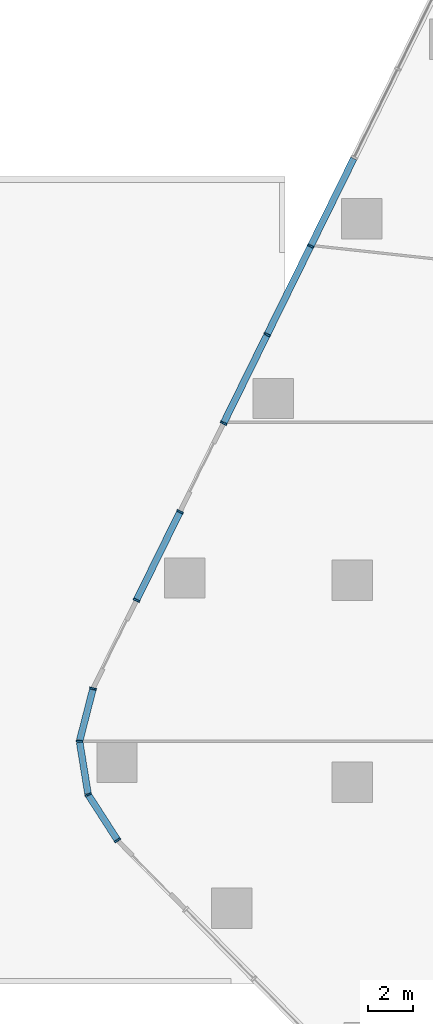
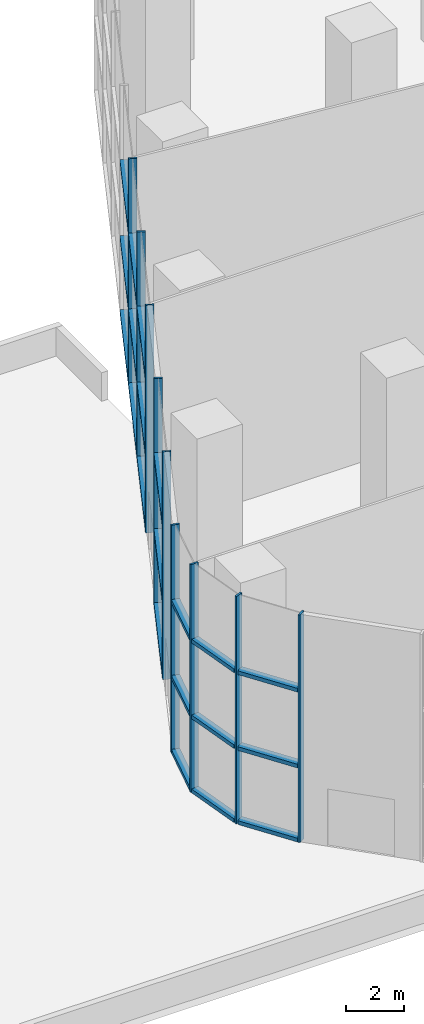
# One storey, part 4 of 21: 30 members, 3 elements without a shape of their own.
"""IFC4 building model written with IfcOpenShell, lengths in metres."""

from ifc_helpers import new_model, si_unit, direction, frame, origin, origin_2d, place, context, subcontext, project, spatial, rectangle, extrude, material, layer, layer_set, material_profile, profile_set, type_object, element, aggregate, save


model = new_model("IFC4")

# Units and contexts
model_context = context("Model", 3, precision=1e-05, world=origin(), true_north=direction((0.0, 1.0)))
body_context = subcontext(model_context, "Body", "Model", "MODEL_VIEW")
ifc_project = project(units=[si_unit("LENGTHUNIT", "METRE"), si_unit("AREAUNIT", "SQUARE_METRE"), si_unit("VOLUMEUNIT", "CUBIC_METRE"), si_unit("PLANEANGLEUNIT", "RADIAN"), si_unit("MASSUNIT", "GRAM", prefix="KILO")], contexts=[model_context])

# Site, building, storey
site_placement = place(None, origin())
site = spatial("IfcSite", under=ifc_project, at=site_placement, CompositionType="ELEMENT")
building_placement = place(site_placement, origin())
building = spatial("IfcBuilding", under=site, at=building_placement, Name="Dongbaek Canopy Tower", CompositionType="ELEMENT")
storey_placement = place(building_placement, frame((0.0, 0.0, 9.0)))
storey = spatial("IfcBuildingStorey", under=building, at=storey_placement, Name="L01", CompositionType="ELEMENT", Elevation=9.0)

# Curtain wall, members
ifc_material_1 = material(Name="Aluminium 6063-T6 pale anodised", Category="aluminium")
ifc_layer = layer(ifc_material_1, 0.300048828125)
ifc_layer_set = layer_set([ifc_layer], Name="CW-2 podium hall curtain wall")
curtain_wall_type = type_object("IfcCurtainWallType", Name="CW-2 podium hall curtain wall", PredefinedType="NOTDEFINED", material=ifc_layer_set)
curtain_wall_1_placement = place(storey_placement, origin())
curtain_wall_1 = element("IfcCurtainWall", 1, at=curtain_wall_1_placement, inside=storey, type_object=curtain_wall_type, Name="CW-2 curtain wall F7.1", PredefinedType="NOTDEFINED")
ifc_material_2 = material(Name="Aluminium 6063-T6 pale anodised", Category="aluminium")
ifc_material_profile_1 = material_profile(ifc_material_2, rectangle(XDim=0.300048828125, YDim=0.080078125, at=origin_2d()), Name="CW-2 mullion 80 x 300")
ifc_profile_set_1 = profile_set([ifc_material_profile_1], Name="Aluminium 6063-T6 pale anodised")
member_type_1 = type_object("IfcMemberType", Name="CW-2 mullion 80 x 300", PredefinedType="MULLION", material=ifc_profile_set_1)
member_1_placement = place(storey_placement, frame((-28.856201171875, 14.902099609375, 0.0), z_axis=(0.0, 0.0, 1.0), x_axis=(-0.897339166815, 0.441341613378, 0.0)))
member_1 = element("IfcMember", 2, at=member_1_placement, type_object=member_type_1, Name="CW-2 mullion F7.1.5", PredefinedType="MULLION", context=body_context, shape_type="SweptSolid", body=[
    extrude(rectangle(XDim=0.300048828125, YDim=0.080078125, at=origin_2d()), origin(), (0.0, 0.0, 1.0), 9.550048828125),
])
member_2_placement = place(storey_placement, frame((-30.7978515625, 10.954345703125, 0.0), z_axis=(0.0, 0.0, 1.0), x_axis=(-0.897339166815, 0.441341613378, 0.0)))
member_2 = element("IfcMember", 3, at=member_2_placement, type_object=member_type_1, Name="CW-2 mullion F7.1.6", PredefinedType="MULLION", context=body_context, shape_type="SweptSolid", body=[
    extrude(rectangle(XDim=0.300048828125, YDim=0.080078125, at=origin_2d()), origin(), (0.0, 0.0, 1.0), 9.550048828125),
])
member_3_placement = place(storey_placement, frame((-32.739501953125, 7.00634765625, 0.0), z_axis=(0.0, 0.0, 1.0), x_axis=(-0.897339166815, 0.441341613378, 0.0)))
member_3 = element("IfcMember", 4, at=member_3_placement, type_object=member_type_1, Name="CW-2 mullion F7.1.7", PredefinedType="MULLION", context=body_context, shape_type="SweptSolid", body=[
    extrude(rectangle(XDim=0.300048828125, YDim=0.080078125, at=origin_2d()), origin(), (0.0, 0.0, 1.0), 9.550048828125),
])

curtain_wall_2_placement = place(storey_placement, origin())
curtain_wall_2 = element("IfcCurtainWall", 5, at=curtain_wall_2_placement, inside=storey, type_object=curtain_wall_type, Name="CW-2 curtain wall F7.2", PredefinedType="NOTDEFINED")
member_4_placement = place(storey_placement, frame((-34.68115234375, 3.05859375, 0.0), z_axis=(0.0, 0.0, 1.0), x_axis=(-0.897339166815, 0.441341613378, 0.0)))
member_4 = element("IfcMember", 6, at=member_4_placement, type_object=member_type_1, Name="CW-2 mullion F7.2.1", PredefinedType="MULLION", context=body_context, shape_type="SweptSolid", body=[
    extrude(rectangle(XDim=0.300048828125, YDim=0.080078125, at=origin_2d()), origin(), (0.0, 0.0, 1.0), 9.550048828125),
])
member_5_placement = place(storey_placement, frame((-36.622802734375, -0.88916015625, 0.0), z_axis=(0.0, 0.0, 1.0), x_axis=(-0.897339166815, 0.441341613378, 0.0)))
member_5 = element("IfcMember", 7, at=member_5_placement, type_object=member_type_1, Name="CW-2 mullion F7.2.2", PredefinedType="MULLION", context=body_context, shape_type="SweptSolid", body=[
    extrude(rectangle(XDim=0.300048828125, YDim=0.080078125, at=origin_2d()), origin(), (0.0, 0.0, 1.0), 9.550048828125),
])

curtain_wall_3_placement = place(storey_placement, origin())
curtain_wall_3 = element("IfcCurtainWall", 8, at=curtain_wall_3_placement, inside=storey, type_object=curtain_wall_type, Name="CW-2 curtain wall K3.1", PredefinedType="NOTDEFINED")
member_6_placement = place(storey_placement, frame((-38.559814453125, -4.82763671875, 0.0), z_axis=(0.0, 0.0, 1.0), x_axis=(-0.968595702074, 0.248641038295, 0.0)))
member_6 = element("IfcMember", 9, at=member_6_placement, type_object=member_type_1, Name="CW-2 mullion K3.1.1", PredefinedType="MULLION", context=body_context, shape_type="SweptSolid", body=[
    extrude(rectangle(XDim=0.300048828125, YDim=0.080078125, at=origin_2d()), origin(), (0.0, 0.0, 1.0), 9.550048828125),
])
member_7_placement = place(storey_placement, frame((-39.161865234375, -7.1728515625, 0.0), z_axis=(0.0, 0.0, 1.0), x_axis=(-0.998966870966, 0.045444369436, 0.0)))
member_7 = element("IfcMember", 10, at=member_7_placement, type_object=member_type_1, Name="CW-2 mullion K3.1.2", PredefinedType="MULLION", context=body_context, shape_type="SweptSolid", body=[
    extrude(rectangle(XDim=0.300048828125, YDim=0.080078125, at=origin_2d()), origin(), (0.0, 0.0, 1.0), 9.550048828125),
])
member_8_placement = place(storey_placement, frame((-38.77685546875, -9.552490234375, 0.0), z_axis=(0.0, 0.0, 1.0), x_axis=(-0.933704344441, -0.358044965295, 0.0)))
member_8 = element("IfcMember", 11, at=member_8_placement, type_object=member_type_1, Name="CW-2 mullion K3.1.3", PredefinedType="MULLION", context=body_context, shape_type="SweptSolid", body=[
    extrude(rectangle(XDim=0.300048828125, YDim=0.080078125, at=origin_2d()), origin(), (0.0, 0.0, 1.0), 9.550048828125),
])
member_9_placement = place(storey_placement, frame((-37.46630859375, -11.58837890625, 0.0), z_axis=(0.0, 0.0, 1.0), x_axis=(-0.840825723493, -0.541305923405, 0.0)))
member_9 = element("IfcMember", 12, at=member_9_placement, type_object=member_type_1, Name="CW-2 mullion K3.1.4", PredefinedType="MULLION", context=body_context, shape_type="SweptSolid", body=[
    extrude(rectangle(XDim=0.300048828125, YDim=0.080078125, at=origin_2d()), origin(), (0.0, 0.0, 1.0), 9.550048828125),
])

# Member
ifc_material_3 = material(Name="Aluminium 6063-T6 pale anodised", Category="aluminium")
ifc_material_profile_2 = material_profile(ifc_material_3, rectangle(XDim=0.300048828125, YDim=0.159912109375, at=origin_2d()), Name="CW-2 transom 160 x 300")
ifc_profile_set_2 = profile_set([ifc_material_profile_2], Name="Aluminium 6063-T6 pale anodised")
member_type_2 = type_object("IfcMemberType", Name="CW-2 transom 160 x 300", PredefinedType="USERDEFINED", material=ifc_profile_set_2)
member_10_placement = place(storey_placement, frame((-26.937255859375, 18.80322265625, 0.080078125), z_axis=(-0.441384176903, -0.897318231387, 0.0), x_axis=(0.897318231387, -0.441384176903, 0.0)))
member_10 = element("IfcMember", 13, at=member_10_placement, type_object=member_type_2, Name="CW-2 transom F7.1.4.1", ObjectType="TRANSOM", PredefinedType="USERDEFINED", context=body_context, shape_type="SweptSolid", body=[
    extrude(rectangle(XDim=0.300048828125, YDim=0.159912109375, at=origin_2d()), origin(), (0.0, 0.0, 1.0), 4.295654296875),
])

member_11_placement = place(storey_placement, frame((-26.937255859375, 18.80322265625, 3.183349609375), z_axis=(-0.441384176903, -0.897318231387, 0.0), x_axis=(0.897318231387, -0.441384176903, 0.0)))
member_11 = element("IfcMember", 14, at=member_11_placement, type_object=member_type_2, Name="CW-2 transom F7.1.4.2", ObjectType="TRANSOM", PredefinedType="USERDEFINED", context=body_context, shape_type="SweptSolid", body=[
    extrude(rectangle(XDim=0.300048828125, YDim=0.159912109375, at=origin_2d()), origin(), (0.0, 0.0, 1.0), 4.295654296875),
])

member_12_placement = place(storey_placement, frame((-26.937255859375, 18.80322265625, 6.36669921875), z_axis=(-0.441384176903, -0.897318231387, 0.0), x_axis=(0.897318231387, -0.441384176903, 0.0)))
member_12 = element("IfcMember", 15, at=member_12_placement, type_object=member_type_2, Name="CW-2 transom F7.1.4.3", ObjectType="TRANSOM", PredefinedType="USERDEFINED", context=body_context, shape_type="SweptSolid", body=[
    extrude(rectangle(XDim=0.300048828125, YDim=0.159912109375, at=origin_2d()), origin(), (0.0, 0.0, 1.0), 4.295654296875),
])

member_13_placement = place(storey_placement, frame((-28.879150390625, 14.85546875, 0.080078125), z_axis=(-0.441338412406, -0.897340741154, 0.0), x_axis=(0.897340741154, -0.441338412406, 0.0)))
member_13 = element("IfcMember", 16, at=member_13_placement, type_object=member_type_2, Name="CW-2 transom F7.1.5.1", ObjectType="TRANSOM", PredefinedType="USERDEFINED", context=body_context, shape_type="SweptSolid", body=[
    extrude(rectangle(XDim=0.300048828125, YDim=0.159912109375, at=origin_2d()), origin(), (0.0, 0.0, 1.0), 4.29541015625),
])

member_14_placement = place(storey_placement, frame((-28.879150390625, 14.85546875, 3.183349609375), z_axis=(-0.441338412406, -0.897340741154, 0.0), x_axis=(0.897340741154, -0.441338412406, 0.0)))
member_14 = element("IfcMember", 17, at=member_14_placement, type_object=member_type_2, Name="CW-2 transom F7.1.5.2", ObjectType="TRANSOM", PredefinedType="USERDEFINED", context=body_context, shape_type="SweptSolid", body=[
    extrude(rectangle(XDim=0.300048828125, YDim=0.159912109375, at=origin_2d()), origin(), (0.0, 0.0, 1.0), 4.29541015625),
])

member_15_placement = place(storey_placement, frame((-28.879150390625, 14.85546875, 6.36669921875), z_axis=(-0.441338412406, -0.897340741154, 0.0), x_axis=(0.897340741154, -0.441338412406, 0.0)))
member_15 = element("IfcMember", 18, at=member_15_placement, type_object=member_type_2, Name="CW-2 transom F7.1.5.3", ObjectType="TRANSOM", PredefinedType="USERDEFINED", context=body_context, shape_type="SweptSolid", body=[
    extrude(rectangle(XDim=0.300048828125, YDim=0.159912109375, at=origin_2d()), origin(), (0.0, 0.0, 1.0), 4.29541015625),
])

member_16_placement = place(storey_placement, frame((-30.82080078125, 10.90771484375, 0.080078125), z_axis=(-0.441338412406, -0.897340741154, 0.0), x_axis=(0.897340741154, -0.441338412406, 0.0)))
member_16 = element("IfcMember", 19, at=member_16_placement, type_object=member_type_2, Name="CW-2 transom F7.1.6.1", ObjectType="TRANSOM", PredefinedType="USERDEFINED", context=body_context, shape_type="SweptSolid", body=[
    extrude(rectangle(XDim=0.300048828125, YDim=0.159912109375, at=origin_2d()), origin(), (0.0, 0.0, 1.0), 4.29541015625),
])

member_17_placement = place(storey_placement, frame((-30.82080078125, 10.90771484375, 3.183349609375), z_axis=(-0.441338412406, -0.897340741154, 0.0), x_axis=(0.897340741154, -0.441338412406, 0.0)))
member_17 = element("IfcMember", 20, at=member_17_placement, type_object=member_type_2, Name="CW-2 transom F7.1.6.2", ObjectType="TRANSOM", PredefinedType="USERDEFINED", context=body_context, shape_type="SweptSolid", body=[
    extrude(rectangle(XDim=0.300048828125, YDim=0.159912109375, at=origin_2d()), origin(), (0.0, 0.0, 1.0), 4.29541015625),
])

member_18_placement = place(storey_placement, frame((-30.82080078125, 10.90771484375, 6.36669921875), z_axis=(-0.441338412406, -0.897340741154, 0.0), x_axis=(0.897340741154, -0.441338412406, 0.0)))
member_18 = element("IfcMember", 21, at=member_18_placement, type_object=member_type_2, Name="CW-2 transom F7.1.6.3", ObjectType="TRANSOM", PredefinedType="USERDEFINED", context=body_context, shape_type="SweptSolid", body=[
    extrude(rectangle(XDim=0.300048828125, YDim=0.159912109375, at=origin_2d()), origin(), (0.0, 0.0, 1.0), 4.29541015625),
])

aggregate(curtain_wall_1, [member_1, member_2, member_3, member_10, member_11, member_12, member_13, member_14, member_15, member_16, member_17, member_18])

member_19_placement = place(storey_placement, frame((-34.7041015625, 3.011962890625, 0.080078125), z_axis=(-0.441338412406, -0.897340741154, 0.0), x_axis=(0.897340741154, -0.441338412406, 0.0)))
member_19 = element("IfcMember", 22, at=member_19_placement, type_object=member_type_2, Name="CW-2 transom F7.2.1.1", ObjectType="TRANSOM", PredefinedType="USERDEFINED", context=body_context, shape_type="SweptSolid", body=[
    extrude(rectangle(XDim=0.300048828125, YDim=0.159912109375, at=origin_2d()), origin(), (0.0, 0.0, 1.0), 4.29541015625),
])

member_20_placement = place(storey_placement, frame((-34.7041015625, 3.011962890625, 3.183349609375), z_axis=(-0.441338412406, -0.897340741154, 0.0), x_axis=(0.897340741154, -0.441338412406, 0.0)))
member_20 = element("IfcMember", 23, at=member_20_placement, type_object=member_type_2, Name="CW-2 transom F7.2.1.2", ObjectType="TRANSOM", PredefinedType="USERDEFINED", context=body_context, shape_type="SweptSolid", body=[
    extrude(rectangle(XDim=0.300048828125, YDim=0.159912109375, at=origin_2d()), origin(), (0.0, 0.0, 1.0), 4.29541015625),
])

member_21_placement = place(storey_placement, frame((-34.7041015625, 3.011962890625, 6.36669921875), z_axis=(-0.441338412406, -0.897340741154, 0.0), x_axis=(0.897340741154, -0.441338412406, 0.0)))
member_21 = element("IfcMember", 24, at=member_21_placement, type_object=member_type_2, Name="CW-2 transom F7.2.1.3", ObjectType="TRANSOM", PredefinedType="USERDEFINED", context=body_context, shape_type="SweptSolid", body=[
    extrude(rectangle(XDim=0.300048828125, YDim=0.159912109375, at=origin_2d()), origin(), (0.0, 0.0, 1.0), 4.29541015625),
])

aggregate(curtain_wall_2, [member_4, member_5, member_19, member_20, member_21])

member_22_placement = place(storey_placement, frame((-38.57275390625, -4.878173828125, 0.080078125), z_axis=(-0.248654181882, -0.968592327985, 0.0), x_axis=(0.968592327985, -0.248654181882, 0.0)))
member_22 = element("IfcMember", 25, at=member_22_placement, type_object=member_type_2, Name="CW-2 transom K3.1.1.1", ObjectType="TRANSOM", PredefinedType="USERDEFINED", context=body_context, shape_type="SweptSolid", body=[
    extrude(rectangle(XDim=0.300048828125, YDim=0.159912109375, at=origin_2d()), origin(), (0.0, 0.0, 1.0), 2.317138671875),
])

member_23_placement = place(storey_placement, frame((-38.57275390625, -4.878173828125, 3.183349609375), z_axis=(-0.248654181882, -0.968592327985, 0.0), x_axis=(0.968592327985, -0.248654181882, 0.0)))
member_23 = element("IfcMember", 26, at=member_23_placement, type_object=member_type_2, Name="CW-2 transom K3.1.1.2", ObjectType="TRANSOM", PredefinedType="USERDEFINED", context=body_context, shape_type="SweptSolid", body=[
    extrude(rectangle(XDim=0.300048828125, YDim=0.159912109375, at=origin_2d()), origin(), (0.0, 0.0, 1.0), 2.317138671875),
])

member_24_placement = place(storey_placement, frame((-38.57275390625, -4.878173828125, 6.36669921875), z_axis=(-0.248654181882, -0.968592327985, 0.0), x_axis=(0.968592327985, -0.248654181882, 0.0)))
member_24 = element("IfcMember", 27, at=member_24_placement, type_object=member_type_2, Name="CW-2 transom K3.1.1.3", ObjectType="TRANSOM", PredefinedType="USERDEFINED", context=body_context, shape_type="SweptSolid", body=[
    extrude(rectangle(XDim=0.300048828125, YDim=0.159912109375, at=origin_2d()), origin(), (0.0, 0.0, 1.0), 2.317138671875),
])

member_25_placement = place(storey_placement, frame((-39.153564453125, -7.22412109375, 0.080078125), z_axis=(0.15971159543, -0.987163718076, 0.0), x_axis=(0.987163718076, 0.15971159543, 0.0)))
member_25 = element("IfcMember", 28, at=member_25_placement, type_object=member_type_2, Name="CW-2 transom K3.1.2.1", ObjectType="TRANSOM", PredefinedType="USERDEFINED", context=body_context, shape_type="SweptSolid", body=[
    extrude(rectangle(XDim=0.300048828125, YDim=0.159912109375, at=origin_2d()), origin(), (0.0, 0.0, 1.0), 2.306640625),
])

member_26_placement = place(storey_placement, frame((-39.153564453125, -7.22412109375, 3.183349609375), z_axis=(0.15971159543, -0.987163718076, 0.0), x_axis=(0.987163718076, 0.15971159543, 0.0)))
member_26 = element("IfcMember", 29, at=member_26_placement, type_object=member_type_2, Name="CW-2 transom K3.1.2.2", ObjectType="TRANSOM", PredefinedType="USERDEFINED", context=body_context, shape_type="SweptSolid", body=[
    extrude(rectangle(XDim=0.300048828125, YDim=0.159912109375, at=origin_2d()), origin(), (0.0, 0.0, 1.0), 2.306640625),
])

member_27_placement = place(storey_placement, frame((-39.153564453125, -7.22412109375, 6.36669921875), z_axis=(0.15971159543, -0.987163718076, 0.0), x_axis=(0.987163718076, 0.15971159543, 0.0)))
member_27 = element("IfcMember", 30, at=member_27_placement, type_object=member_type_2, Name="CW-2 transom K3.1.2.3", ObjectType="TRANSOM", PredefinedType="USERDEFINED", context=body_context, shape_type="SweptSolid", body=[
    extrude(rectangle(XDim=0.300048828125, YDim=0.159912109375, at=origin_2d()), origin(), (0.0, 0.0, 1.0), 2.306640625),
])

member_28_placement = place(storey_placement, frame((-38.748779296875, -9.59619140625, 0.080078125), z_axis=(0.54130592275, -0.840825723914, 0.0), x_axis=(0.840825723914, 0.54130592275, 0.0)))
member_28 = element("IfcMember", 31, at=member_28_placement, type_object=member_type_2, Name="CW-2 transom K3.1.3.1", ObjectType="TRANSOM", PredefinedType="USERDEFINED", context=body_context, shape_type="SweptSolid", body=[
    extrude(rectangle(XDim=0.300048828125, YDim=0.159912109375, at=origin_2d()), origin(), (0.0, 0.0, 1.0), 2.3173828125),
])

member_29_placement = place(storey_placement, frame((-38.748779296875, -9.59619140625, 3.183349609375), z_axis=(0.54130592275, -0.840825723914, 0.0), x_axis=(0.840825723914, 0.54130592275, 0.0)))
member_29 = element("IfcMember", 32, at=member_29_placement, type_object=member_type_2, Name="CW-2 transom K3.1.3.2", ObjectType="TRANSOM", PredefinedType="USERDEFINED", context=body_context, shape_type="SweptSolid", body=[
    extrude(rectangle(XDim=0.300048828125, YDim=0.159912109375, at=origin_2d()), origin(), (0.0, 0.0, 1.0), 2.3173828125),
])

member_30_placement = place(storey_placement, frame((-38.748779296875, -9.59619140625, 6.36669921875), z_axis=(0.54130592275, -0.840825723914, 0.0), x_axis=(0.840825723914, 0.54130592275, 0.0)))
member_30 = element("IfcMember", 33, at=member_30_placement, type_object=member_type_2, Name="CW-2 transom K3.1.3.3", ObjectType="TRANSOM", PredefinedType="USERDEFINED", context=body_context, shape_type="SweptSolid", body=[
    extrude(rectangle(XDim=0.300048828125, YDim=0.159912109375, at=origin_2d()), origin(), (0.0, 0.0, 1.0), 2.3173828125),
])

aggregate(curtain_wall_3, [member_6, member_7, member_8, member_9, member_22, member_23, member_24, member_25, member_26, member_27, member_28, member_29, member_30])

save(model, "model.ifc")
